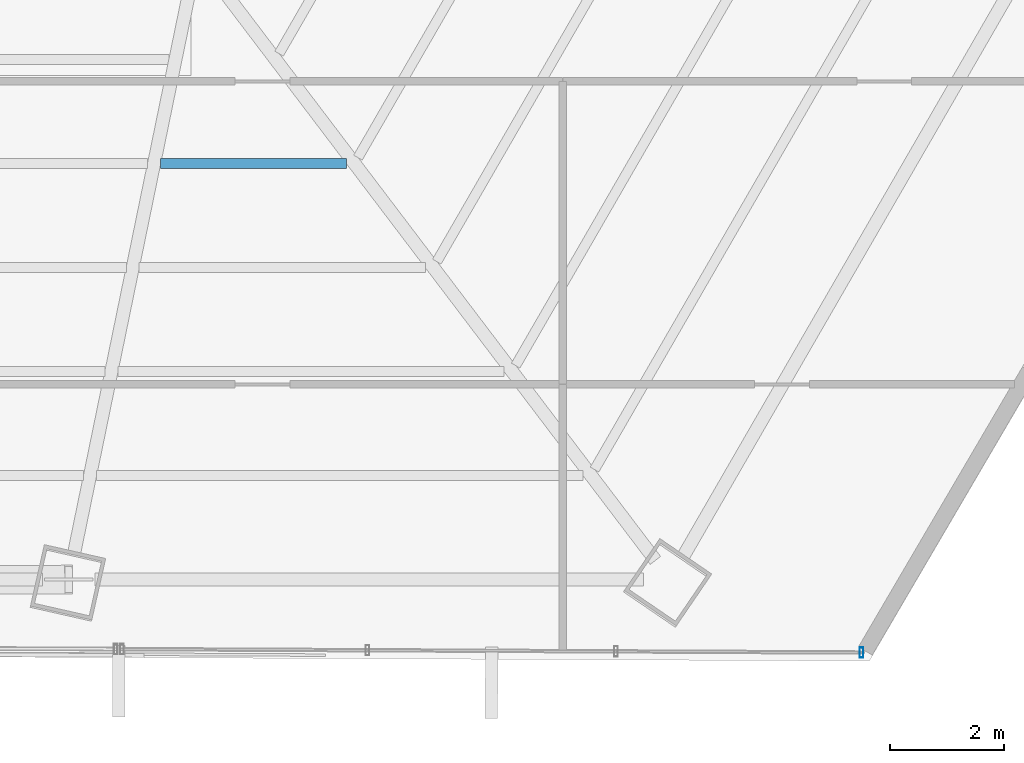
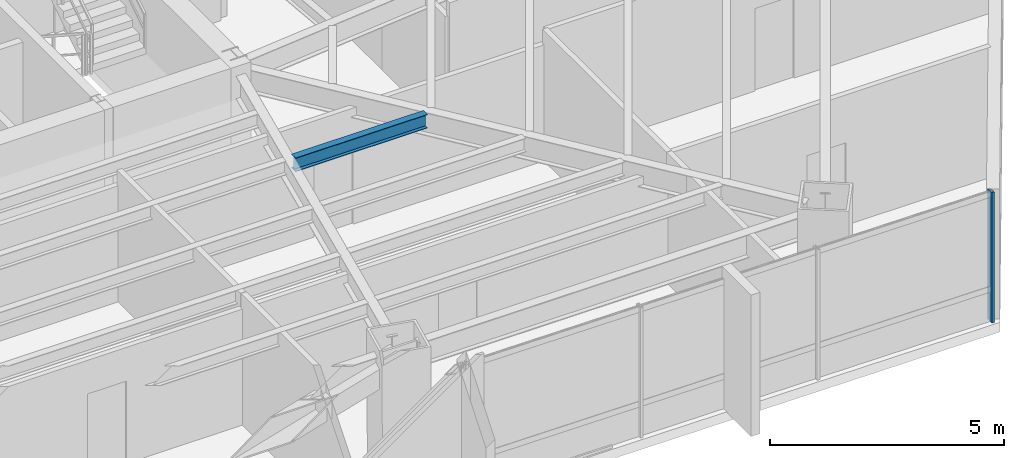
# One storey, part 16 of 35: 1 beam, 1 member, 1 element without a shape of its own.
"""IFC4 building model written with IfcOpenShell, lengths in metres."""

from ifc_helpers import new_model, si_unit, direction, frame, origin, origin_2d, place, context, subcontext, project, spatial, hollow_rectangle, i_section, extrude, source, transform, mapped, material, material_profile, profile_set, type_object, type_shapes, element, aggregate, save


model = new_model("IFC4")

# Units and contexts
model_context = context("Model", 3, precision=1e-05, world=origin(), true_north=direction((0.0, 1.0)))
body_context = subcontext(model_context, "Body", "Model", "MODEL_VIEW")
ifc_project = project(units=[si_unit("LENGTHUNIT", "METRE"), si_unit("AREAUNIT", "SQUARE_METRE"), si_unit("VOLUMEUNIT", "CUBIC_METRE"), si_unit("PLANEANGLEUNIT", "RADIAN"), si_unit("MASSUNIT", "GRAM", prefix="KILO")], contexts=[model_context])

# Site, building, storey
site_placement = place(None, origin())
site = spatial("IfcSite", under=ifc_project, at=site_placement, CompositionType="ELEMENT")
building_placement = place(site_placement, origin())
building = spatial("IfcBuilding", under=site, at=building_placement, Name="Caelisora Broadcast Tower", CompositionType="ELEMENT")
storey_placement = place(building_placement, frame((0.0, 0.0, 109.050048828125)))
storey = spatial("IfcBuildingStorey", under=building, at=storey_placement, Name="L28", CompositionType="ELEMENT", Elevation=109.050048828125)

# Beam
ifc_material_1 = material(Name="Steel Grade 350 (AS/NZS 3679.1)", Category="steel")
ifc_material_profile_1 = material_profile(ifc_material_1, i_section(OverallWidth=0.172119140625, OverallDepth=0.358642578125, WebThickness=0.008056640625, FlangeThickness=0.012939453125, at=origin_2d()), Name="Steel Grade 350 (AS/NZS 3679.1)")
ifc_profile_set_1 = profile_set([ifc_material_profile_1], Name="Steel Grade 350 (AS/NZS 3679.1)")
beam_type = type_object("IfcBeamType", Name="SB02", PredefinedType="JOIST", material=ifc_profile_set_1)
shared_shape_1 = source(origin(), body_context, "Body", "SweptSolid", [
    extrude(i_section(OverallWidth=0.172119140625, OverallDepth=0.358642578125, WebThickness=0.008056640625, FlangeThickness=0.012939453125, at=origin_2d()), origin(), (0.0, 0.0, 1.0), 3.252685546875),
])
type_shapes(beam_type, [shared_shape_1])
beam_placement = place(storey_placement, frame((44.86669921875, 13.761962890625, 3.220703125), z_axis=(1.0, 0.0, 0.0), x_axis=(0.0, 1.0, 0.0)))
element("IfcBeam", 1, at=beam_placement, inside=storey, type_object=beam_type, Name="L28 beam SB02", PredefinedType="JOIST", context=body_context, shape_type="MappedRepresentation", body=[
    mapped(shared_shape_1, transform((0.0, 0.0, 0.0), scale=1.0)),
])

# Curtain wall, member
ifc_material_2 = material(Name="Unitised Aluminium and Low-E Glass Curtain Wall", Category="glass")
curtain_wall_type = type_object("IfcCurtainWallType", Name="CW-Z2", PredefinedType="NOTDEFINED", material=ifc_material_2)
curtain_wall_placement = place(storey_placement, origin())
curtain_wall = element("IfcCurtainWall", 2, at=curtain_wall_placement, inside=storey, type_object=curtain_wall_type, Name="L28 curtain wall CW-Z2", PredefinedType="NOTDEFINED")
ifc_material_3 = material(Name="Aluminium 6063-T6 Anodised Terracotta Bronze", Category="aluminium")
ifc_material_profile_2 = material_profile(ifc_material_3, hollow_rectangle(XDim=0.06494140625, YDim=0.179931640625, WallThickness=0.00341796875, at=origin_2d()), Name="Aluminium 6063-T6 Anodised Terracotta Bronze")
ifc_profile_set_2 = profile_set([ifc_material_profile_2], Name="Aluminium 6063-T6 Anodised Terracotta Bronze")
member_type = type_object("IfcMemberType", Name="CWM-02", PredefinedType="MULLION", material=ifc_profile_set_2)
shared_shape_2 = source(origin(), body_context, "Body", "SweptSolid", [
    extrude(hollow_rectangle(XDim=0.06494140625, YDim=0.179931640625, WallThickness=0.00341796875, at=origin_2d()), origin(), (0.0, 0.0, 1.0), 3.39990234375),
])
type_shapes(member_type, [shared_shape_2])
member_placement = place(storey_placement, frame((57.131103515625, 5.208251953125, 0.0), z_axis=(0.0, 0.0, 1.0), x_axis=(1.0, 0.0, 0.0)))
member = element("IfcMember", 3, at=member_placement, type_object=member_type, Name="L28-CW-B05 mullion #0", PredefinedType="MULLION", context=body_context, shape_type="MappedRepresentation", body=[
    mapped(shared_shape_2, transform((0.0, 0.0, 0.0), scale=1.0)),
])
aggregate(curtain_wall, [member])

save(model, "model.ifc")
